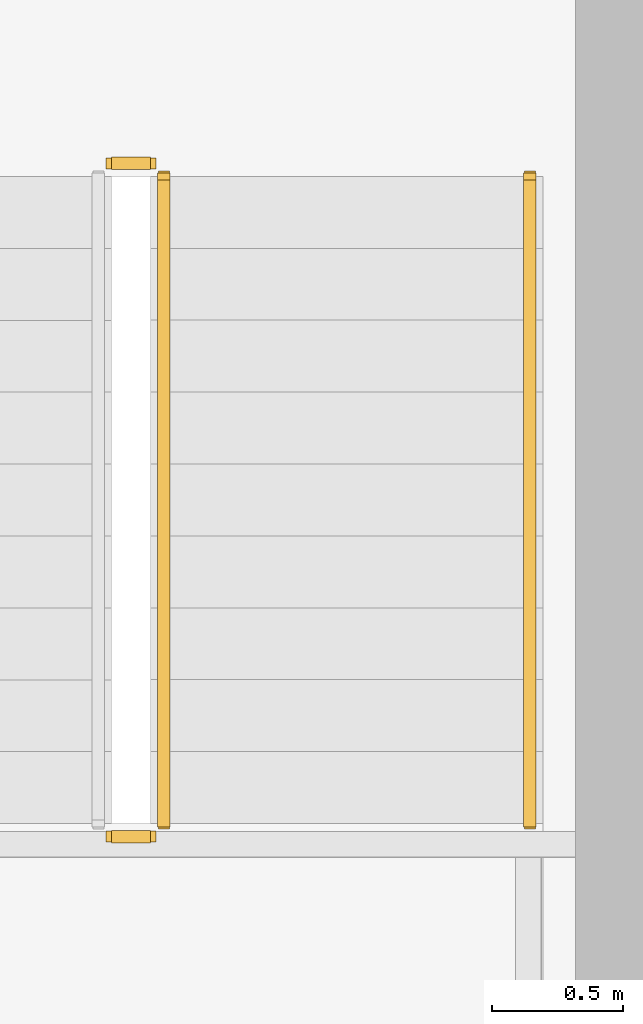
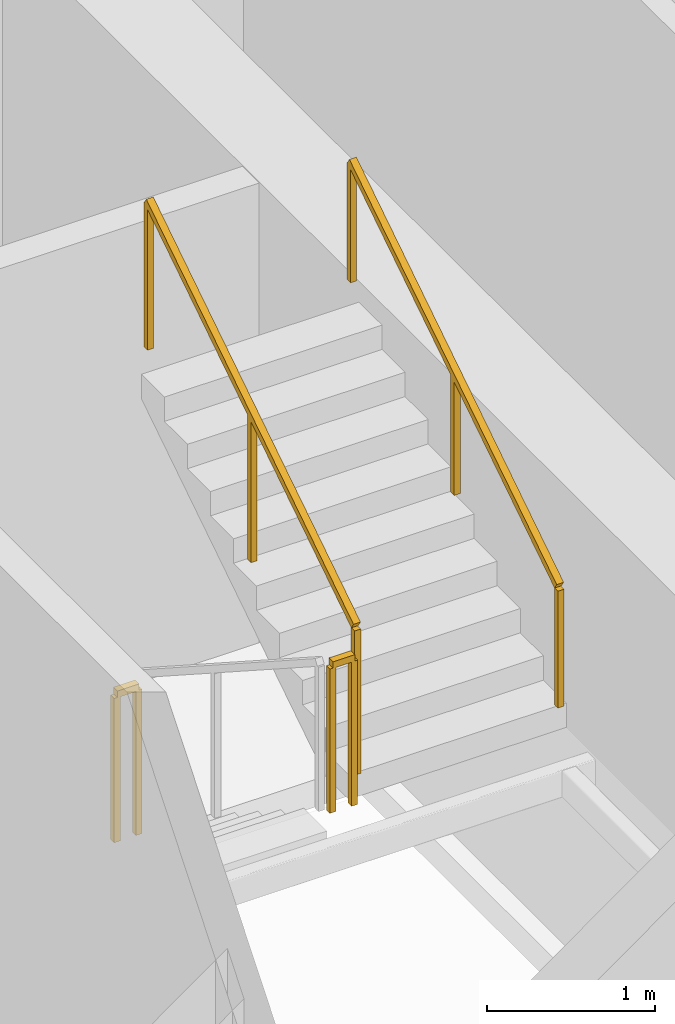
# One storey, part 10 of 10: 4 railings.
"""IFC4 building model written with IfcOpenShell, lengths in metres."""

from ifc_helpers import new_model, si_unit, direction, frame, origin, origin_2d, place, context, subcontext, project, spatial, rectangle, extrude, material, type_object, element, save


model = new_model("IFC4")

# Units and contexts
model_context = context("Model", 3, precision=1e-05, world=origin(), true_north=direction((0.0, 1.0)))
body_context = subcontext(model_context, "Body", "Model", "MODEL_VIEW")
ifc_project = project(units=[si_unit("LENGTHUNIT", "METRE"), si_unit("AREAUNIT", "SQUARE_METRE"), si_unit("VOLUMEUNIT", "CUBIC_METRE"), si_unit("PLANEANGLEUNIT", "RADIAN"), si_unit("MASSUNIT", "GRAM", prefix="KILO")], contexts=[model_context])

# Site, building, storey
site_placement = place(None, origin())
site = spatial("IfcSite", under=ifc_project, at=site_placement, CompositionType="ELEMENT")
building_placement = place(site_placement, origin())
building = spatial("IfcBuilding", under=site, at=building_placement, Name="Cinnabar Lancet Tower", CompositionType="ELEMENT")
storey_placement = place(building_placement, frame((0.0, 0.0, 171.89990234375)))
storey = spatial("IfcBuildingStorey", under=building, at=storey_placement, Name="L45", CompositionType="ELEMENT", Elevation=171.89990234375)

# Railings
ifc_material_1 = material(Name="Painted galvanized steel balustrade", Category="steel")
railing_type_1 = type_object("IfcRailingType", Name="GUARD-STAIR", PredefinedType="GUARDRAIL", material=ifc_material_1)
railing_1_placement = place(storey_placement, frame((39.625, 25.875, 1.775146484375)))
element("IfcRailing", 1, at=railing_1_placement, inside=storey, type_object=railing_type_1, Name="L45 ST-2 stair guard 2", PredefinedType="GUARDRAIL", context=body_context, shape_type="SweptSolid", body=[
    extrude(rectangle(XDim=0.048095703125, YDim=0.048095703125, at=origin_2d()), frame((0.0, 0.0, 1.076171875), z_axis=(1.0, 0.0, 0.0), x_axis=(0.0, 1.0, 0.0)), (0.0, 0.0, 1.0), 0.14990234375),
    extrude(rectangle(XDim=0.0419921875, YDim=0.0419921875, at=origin_2d()), origin(), (0.0, 0.0, 1.0), 1.052001953125),
    extrude(rectangle(XDim=0.0419921875, YDim=0.0419921875, at=origin_2d()), frame((0.14990234375, 0.0, 0.0)), (0.0, 0.0, 1.0), 1.052001953125),
])
railing_2_placement = place(storey_placement, frame((39.824951171875, 25.925048828125, 1.95263671875)))
element("IfcRailing", 2, at=railing_2_placement, inside=storey, type_object=railing_type_1, Name="L45 ST-2 stair guard 3", PredefinedType="GUARDRAIL", context=body_context, shape_type="SweptSolid", body=[
    extrude(rectangle(XDim=0.048095703125, YDim=0.048095703125, at=origin_2d()), frame((0.0, 0.0, 1.076171875), z_axis=(0.0, 0.840183358697, 0.542302428327), x_axis=(-1.0, 0.0, 0.0)), (0.0, 0.0, 1.0), 2.945556640625),
    extrude(rectangle(XDim=0.0419921875, YDim=0.0419921875, at=origin_2d()), origin(), (0.0, 0.0, 1.0), 1.052001953125),
    extrude(rectangle(XDim=0.0419921875, YDim=0.0419921875, at=origin_2d()), frame((0.0, 1.2373046875, 0.798828125)), (0.0, 0.0, 1.0), 1.052001953125),
    extrude(rectangle(XDim=0.0419921875, YDim=0.0419921875, at=origin_2d()), frame((0.0, 2.474853515625, 1.597412109375)), (0.0, 0.0, 1.0), 1.052001953125),
])
railing_3_placement = place(storey_placement, frame((39.625, 28.449951171875, 0.0)))
element("IfcRailing", 3, at=railing_3_placement, inside=storey, type_object=railing_type_1, Name="L45 ST-2 stair guard 4", PredefinedType="GUARDRAIL", context=body_context, shape_type="SweptSolid", body=[
    extrude(rectangle(XDim=0.048095703125, YDim=0.048095703125, at=origin_2d()), frame((0.0, 0.0, 1.076171875), z_axis=(1.0, 0.0, 0.0), x_axis=(0.0, 1.0, 0.0)), (0.0, 0.0, 1.0), 0.14990234375),
    extrude(rectangle(XDim=0.0419921875, YDim=0.0419921875, at=origin_2d()), origin(), (0.0, 0.0, 1.0), 1.052001953125),
    extrude(rectangle(XDim=0.0419921875, YDim=0.0419921875, at=origin_2d()), frame((0.14990234375, 0.0, 0.0)), (0.0, 0.0, 1.0), 1.052001953125),
])
ifc_material_2 = material(Name="Brushed stainless steel handrail", Category="steel")
railing_type_2 = type_object("IfcRailingType", Name="HANDRAIL-STAIR", PredefinedType="HANDRAIL", material=ifc_material_2)
railing_4_placement = place(storey_placement, frame((41.22509765625, 25.925048828125, 1.95263671875)))
element("IfcRailing", 4, at=railing_4_placement, inside=storey, type_object=railing_type_2, Name="L45 ST-2 stair handrail 2", PredefinedType="HANDRAIL", context=body_context, shape_type="SweptSolid", body=[
    extrude(rectangle(XDim=0.048095703125, YDim=0.048095703125, at=origin_2d()), frame((0.0, 0.0, 0.8759765625), z_axis=(0.0, 0.840183358697, 0.542302428327), x_axis=(-1.0, 0.0, 0.0)), (0.0, 0.0, 1.0), 2.945556640625),
    extrude(rectangle(XDim=0.0419921875, YDim=0.0419921875, at=origin_2d()), origin(), (0.0, 0.0, 1.0), 0.851806640625),
    extrude(rectangle(XDim=0.0419921875, YDim=0.0419921875, at=origin_2d()), frame((0.0, 1.2373046875, 0.798828125)), (0.0, 0.0, 1.0), 0.851806640625),
    extrude(rectangle(XDim=0.0419921875, YDim=0.0419921875, at=origin_2d()), frame((0.0, 2.474853515625, 1.597412109375)), (0.0, 0.0, 1.0), 0.851806640625),
])

save(model, "model.ifc")
